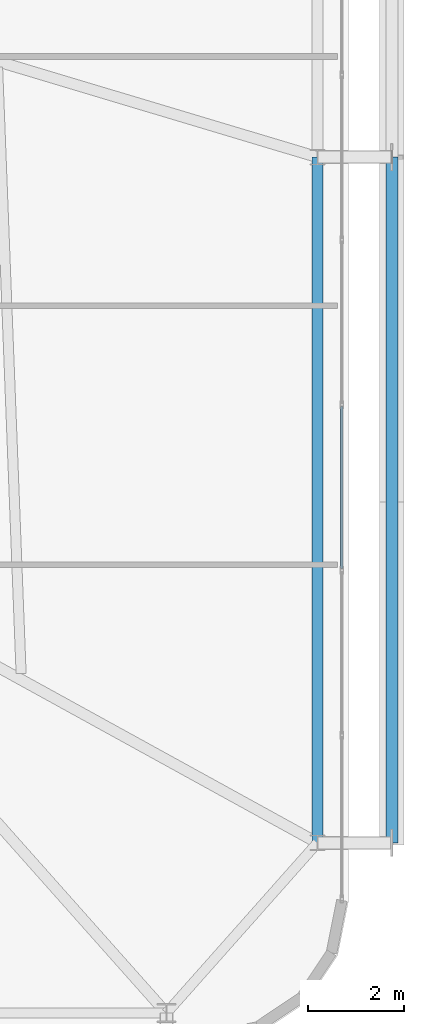
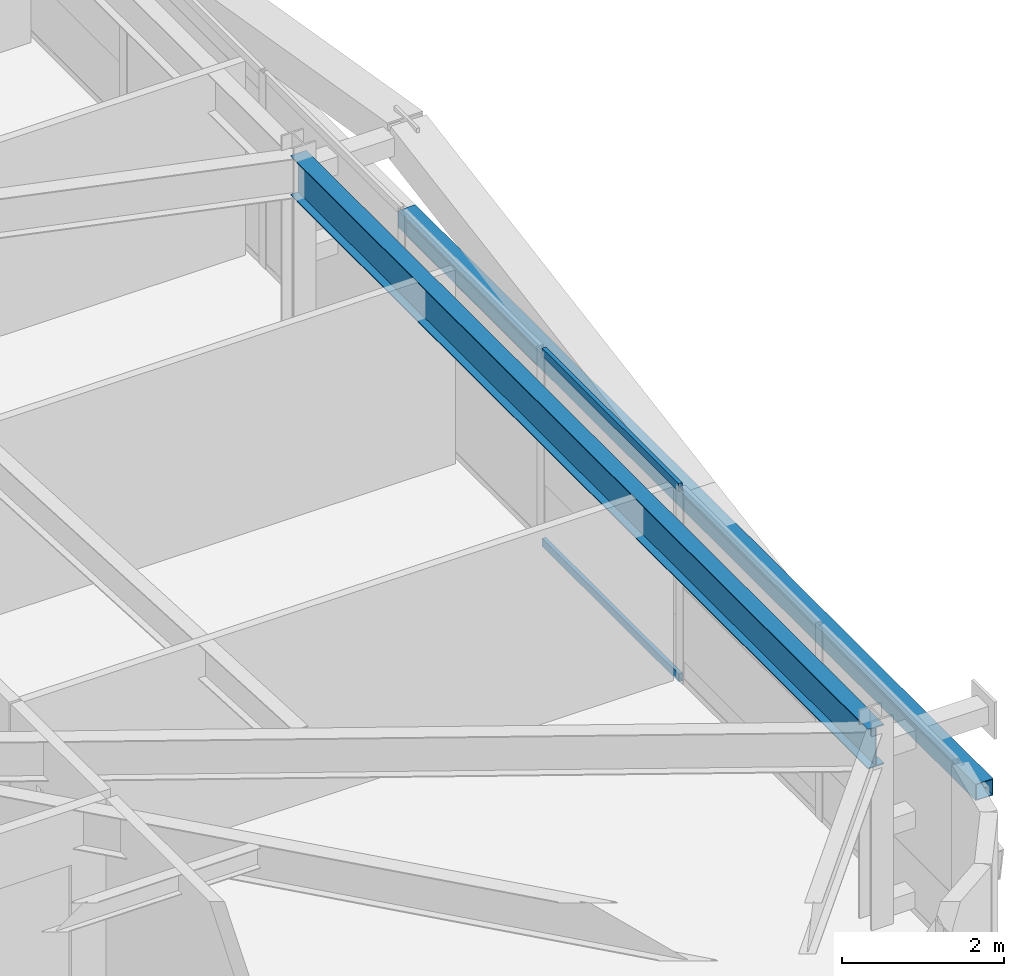
# One storey, part 27 of 58: 3 members, 1 beam, 1 element without a shape of its own.
"""IFC4 building model written with IfcOpenShell, lengths in metres."""

import ifcopenshell
import ifcopenshell.guid

model = None  # the IFC model being written
_history = None  # IfcOwnerHistory: only IFC2X3 demands one
_inside = {}  # id of a spatial element -> (the spatial element, [elements in it])
_under = {}  # id of a project, library or spatial element -> (it, [spatial elements below it])
_declared = {}  # id of a project -> (the project, [libraries it declares])
_typed = {}  # id of a type object -> (the type object, [elements of that type])
_made_of = {}  # id of a material, layer set ... -> (it, [elements and type objects made of it])


def new_model(schema):
    """Start an empty IFC model of exactly this schema.

    Asked for "IFC4X3", IfcOpenShell would pick the latest addendum, in which some entities
    have other attributes; the version numbers below select the first issue.
    IFC2X3 requires an IfcOwnerHistory on every rooted entity: one is made here for all.
    """
    global model, _history
    if schema == "IFC4X3":
        model = ifcopenshell.file(schema_version=(4, 3, 0, 0))
    else:
        model = ifcopenshell.file(schema=schema)
    _inside.clear()
    _under.clear()
    _declared.clear()
    _typed.clear()
    _made_of.clear()
    _history = None
    if model.schema == "IFC2X3":
        org = make("IfcOrganization", Name="unknown")
        user = make(
            "IfcPersonAndOrganization",
            ThePerson=make("IfcPerson", FamilyName="unknown"),
            TheOrganization=org,
        )
        app = make(
            "IfcApplication",
            ApplicationDeveloper=org,
            Version="unknown",
            ApplicationFullName="unknown",
            ApplicationIdentifier="unknown",
        )
        _history = make(
            "IfcOwnerHistory",
            OwningUser=user,
            OwningApplication=app,
            ChangeAction="ADDED",
            CreationDate=0,
        )
    return model


def make(cls, **values):
    """One entity of the class cls with the attributes given. An attribute that is None is left unset."""
    return model.create_entity(
        cls, **{name: value for name, value in values.items() if value is not None}
    )


def rooted(cls, **values):
    """An entity with a GlobalId (a new one), such as an element, a storey or a relation."""
    return make(cls, GlobalId=ifcopenshell.guid.new(), OwnerHistory=_history, **values)


def si_unit(unit_type, name, prefix=None):
    """IfcSIUnit, for example si_unit("LENGTHUNIT", "METRE", prefix="MILLI")."""
    return make("IfcSIUnit", UnitType=unit_type, Prefix=prefix, Name=name)


def assignment(units):
    """IfcUnitAssignment: the units of a project."""
    return None if units is None else make("IfcUnitAssignment", Units=units)


def point(xyz):
    """IfcCartesianPoint."""
    return None if xyz is None else make("IfcCartesianPoint", Coordinates=xyz)


def direction(xyz):
    """IfcDirection."""
    return None if xyz is None else make("IfcDirection", DirectionRatios=xyz)


def frame(location, z_axis=None, x_axis=None):
    """IfcAxis2Placement3D, a coordinate frame: its origin and axes. An axis left out is left unset."""
    return make(
        "IfcAxis2Placement3D",
        Location=point(location),
        Axis=direction(z_axis),
        RefDirection=direction(x_axis),
    )


def frame_2d(location, x_axis=None):
    """IfcAxis2Placement2D, a coordinate frame in the plane: its origin and x axis."""
    return make(
        "IfcAxis2Placement2D", Location=point(location), RefDirection=direction(x_axis)
    )


def origin():
    """The frame at (0, 0, 0) with its axes left unset."""
    return frame((0.0, 0.0, 0.0))


def origin_2d():
    """The frame at (0, 0) in the plane with its x axis left unset."""
    return frame_2d((0.0, 0.0))


def place(relative_to, where):
    """IfcLocalPlacement: puts the frame where relative to a parent placement (None: the world)."""
    return make(
        "IfcLocalPlacement", PlacementRelTo=relative_to, RelativePlacement=where
    )


def context(
    kind, dimensions, precision=None, world=None, true_north=None, identifier=None
):
    """IfcGeometricRepresentationContext, for example the 3D "Model" context."""
    return make(
        "IfcGeometricRepresentationContext",
        ContextIdentifier=identifier,
        ContextType=kind,
        CoordinateSpaceDimension=dimensions,
        Precision=precision,
        WorldCoordinateSystem=world,
        TrueNorth=true_north,
    )


def subcontext(parent, identifier, kind, view, scale=None):
    """IfcGeometricRepresentationSubContext, for example "Body" below "Model"."""
    return make(
        "IfcGeometricRepresentationSubContext",
        ContextIdentifier=identifier,
        ContextType=kind,
        ParentContext=parent,
        TargetScale=scale,
        TargetView=view,
    )


def project(units=None, contexts=None):
    """IfcProject with its units and contexts."""
    return rooted(
        "IfcProject",
        Name="project",
        RepresentationContexts=contexts,
        UnitsInContext=assignment(units),
    )


def spatial(cls, under=None, at=None, **own):
    """A site, building, storey or space (cls), placed at a placement, below another one or the project."""
    s = rooted(cls, ObjectPlacement=at, **own)
    if under is not None:
        _under.setdefault(under.id(), (under, []))[1].append(s)
    return s


def profile(cls, at=None, kind="AREA", **sizes):
    """A parametric profile (cls). Its sizes go by their IFC names, for example OverallWidth=200.0."""
    return make(cls, ProfileType=kind, Position=at, **sizes)


def hollow_rectangle(**sizes):
    """IfcRectangleHollowProfileDef."""
    return profile("IfcRectangleHollowProfileDef", **sizes)


def i_section(**sizes):
    """IfcIShapeProfileDef."""
    return profile("IfcIShapeProfileDef", **sizes)


def extrude(swept, where, along, depth):
    """IfcExtrudedAreaSolid: the profile swept, set in the frame where, extruded along a direction by depth."""
    return make(
        "IfcExtrudedAreaSolid",
        SweptArea=swept,
        Position=where,
        ExtrudedDirection=direction(along),
        Depth=depth,
    )


def shape(context_of_items, identifier, shape_type, items):
    """IfcShapeRepresentation: the items that make up one representation, for example the "Body"."""
    return make(
        "IfcShapeRepresentation",
        ContextOfItems=context_of_items,
        RepresentationIdentifier=identifier,
        RepresentationType=shape_type,
        Items=items,
    )


def source(mapping_origin, context_of_items, identifier, shape_type, items):
    """IfcRepresentationMap: a shape defined once, which mapped items show again and again."""
    return make(
        "IfcRepresentationMap",
        MappingOrigin=mapping_origin,
        MappedRepresentation=shape(context_of_items, identifier, shape_type, items),
    )


def transform(
    local_origin,
    x_axis=None,
    y_axis=None,
    z_axis=None,
    scale=None,
    scale2=None,
    scale3=None,
    uniform=True,
):
    """IfcCartesianTransformationOperator3D, or its non-uniform kind. x_axis, y_axis, z_axis: its Axis1, 2, 3."""
    if uniform:
        return make(
            "IfcCartesianTransformationOperator3D",
            Axis1=direction(x_axis),
            Axis2=direction(y_axis),
            LocalOrigin=point(local_origin),
            Scale=scale,
            Axis3=direction(z_axis),
        )
    return make(
        "IfcCartesianTransformationOperator3DnonUniform",
        Axis1=direction(x_axis),
        Axis2=direction(y_axis),
        LocalOrigin=point(local_origin),
        Scale=scale,
        Axis3=direction(z_axis),
        Scale2=scale2,
        Scale3=scale3,
    )


def mapped(mapping_source, mapping_target):
    """IfcMappedItem: shows the shape of a source again, moved by a transform."""
    return make(
        "IfcMappedItem", MappingSource=mapping_source, MappingTarget=mapping_target
    )


def material(Name=None, Category=None):
    """IfcMaterial."""
    return make("IfcMaterial", Name=Name, Category=Category)


def layer(
    of_material, thickness, ventilated=None, Name=None, Category=None, Priority=None
):
    """IfcMaterialLayer: one layer of a wall or slab, of a material (None: an air gap)."""
    return make(
        "IfcMaterialLayer",
        Material=of_material,
        LayerThickness=thickness,
        IsVentilated=ventilated,
        Name=Name,
        Category=Category,
        Priority=Priority,
    )


def layer_set(layers, Name=None):
    """IfcMaterialLayerSet."""
    return make("IfcMaterialLayerSet", MaterialLayers=layers, LayerSetName=Name)


def material_profile(
    of_material, cross_section, Name=None, Category=None, Priority=None
):
    """IfcMaterialProfile: a cross section and its material."""
    return make(
        "IfcMaterialProfile",
        Name=Name,
        Material=of_material,
        Profile=cross_section,
        Priority=Priority,
        Category=Category,
    )


def profile_set(profiles, Name=None, composite=None):
    """IfcMaterialProfileSet."""
    return make(
        "IfcMaterialProfileSet",
        Name=Name,
        MaterialProfiles=profiles,
        CompositeProfile=composite,
    )


def made_of(thing, what):
    """Note that an element or type object is made of a material, layer set ...; save() writes the relation."""
    if what is not None:
        _made_of.setdefault(what.id(), (what, []))[1].append(thing)
    return thing


def type_object(cls, material=None, **own):
    """A type object (cls), such as IfcWallType, which elements share."""
    return made_of(rooted(cls, **own), material)


def element(
    cls,
    number,
    at=None,
    inside=None,
    cuts=None,
    type_object=None,
    material=None,
    context=None,
    identifier="Body",
    shape_type=None,
    held_by="IfcProductDefinitionShape",
    body=None,
    shapes=None,
    **own,
):
    """One element of the class cls, such as IfcWall. Its Tag is "e" and its number.

    at: its placement. inside: the storey or other place that contains it. cuts: it is an
    opening in that element (IfcRelVoidsElement). A single representation is given by context,
    identifier, shape_type and body (its items); several are given by shapes. held_by: the class
    of the entity that holds the representations. save() writes the other relations.
    """
    e = rooted(cls, Tag="e%d" % number, ObjectPlacement=at, **own)
    if body is not None:
        shapes = [shape(context, identifier, shape_type, body)]
    if shapes is not None:
        e.Representation = make(held_by, Representations=shapes)
    if inside is not None:
        _inside.setdefault(inside.id(), (inside, []))[1].append(e)
    if cuts is not None:
        rooted(
            "IfcRelVoidsElement", RelatingBuildingElement=cuts, RelatedOpeningElement=e
        )
    if type_object is not None:
        _typed.setdefault(type_object.id(), (type_object, []))[1].append(e)
    return made_of(e, material)


def aggregate(whole, parts):
    """IfcRelAggregates: a whole, such as a stair, and the parts it consists of."""
    return rooted("IfcRelAggregates", RelatingObject=whole, RelatedObjects=parts)


def save(model, path):
    """Write the relations noted so far, then the file.

    IfcRelAggregates (storeys below a building ...), IfcRelContainedInSpatialStructure (elements
    in a storey), IfcRelDefinesByType, IfcRelAssociatesMaterial and IfcRelDeclares: one each for
    every whole, place, type object, material and project.
    """
    for whole, parts in _under.values():
        aggregate(whole, parts)
    for where, things in _inside.values():
        rooted(
            "IfcRelContainedInSpatialStructure",
            RelatedElements=things,
            RelatingStructure=where,
        )
    for kind, things in _typed.values():
        rooted("IfcRelDefinesByType", RelatedObjects=things, RelatingType=kind)
    for what, things in _made_of.values():
        rooted("IfcRelAssociatesMaterial", RelatedObjects=things, RelatingMaterial=what)
    for by, libraries in _declared.values():
        rooted("IfcRelDeclares", RelatingContext=by, RelatedDefinitions=libraries)
    model.write(path)


model = new_model("IFC4")

# Units and contexts
model_context = context("Model", 3, precision=1e-05, world=origin(), true_north=direction((0.0, 1.0)))
body_context = subcontext(model_context, "Body", "Model", "MODEL_VIEW")
ifc_project = project(units=[si_unit("LENGTHUNIT", "METRE"), si_unit("AREAUNIT", "SQUARE_METRE"), si_unit("VOLUMEUNIT", "CUBIC_METRE"), si_unit("PLANEANGLEUNIT", "RADIAN"), si_unit("MASSUNIT", "GRAM", prefix="KILO")], contexts=[model_context])

# Site, building, storey
site_placement = place(None, origin())
site = spatial("IfcSite", under=ifc_project, at=site_placement, CompositionType="ELEMENT")
building_placement = place(site_placement, origin())
building = spatial("IfcBuilding", under=site, at=building_placement, Name="Taldren Reach Tower", CompositionType="ELEMENT")
storey_placement = place(building_placement, frame((0.0, 0.0, 54.60009765625)))
storey = spatial("IfcBuildingStorey", under=building, at=storey_placement, Name="L16", CompositionType="ELEMENT", Elevation=54.60009765625)

# Beam
ifc_material_1 = material(Name="Steel Gr 350 (350PLUS)", Category="steel")
ifc_material_profile_1 = material_profile(ifc_material_1, i_section(OverallWidth=0.22802734375, OverallDepth=0.60205078125, WebThickness=0.010498046875, FlangeThickness=0.014892578125, at=origin_2d()), Name="610UB101")
ifc_profile_set_1 = profile_set([ifc_material_profile_1], Name="Steel Gr 350 (350PLUS)")
beam_type = type_object("IfcBeamType", Name="BM-UB610B", PredefinedType="BEAM", material=ifc_profile_set_1)
shared_shape_1 = source(origin(), body_context, "Body", "SweptSolid", [
    extrude(i_section(OverallWidth=0.22802734375, OverallDepth=0.60205078125, WebThickness=0.010498046875, FlangeThickness=0.014892578125, at=origin_2d()), origin(), (0.0, 0.0, 1.0), 14.300048828125),
])
beam_placement = place(storey_placement, frame((64.35009765625, 5.699951171875, 2.62890625), z_axis=(0.0, 1.0, 0.0), x_axis=(-1.0, 0.0, 0.0)))
element("IfcBeam", 1, at=beam_placement, inside=storey, type_object=beam_type, Name="Perimeter gable girder B1 E1-E2 L16", PredefinedType="BEAM", context=body_context, shape_type="MappedRepresentation", body=[
    mapped(shared_shape_1, transform((0.0, 0.0, 0.0), scale=1.0)),
])

# Member
ifc_material_2 = material(Name="Steel Gr 350 (C350L0)", Category="steel")
ifc_material_profile_2 = material_profile(ifc_material_2, hollow_rectangle(XDim=0.25, YDim=0.25, WallThickness=0.010009765625, at=origin_2d()), Name="250x250x10.0SHS")
ifc_profile_set_2 = profile_set([ifc_material_profile_2], Name="Steel Gr 350 (C350L0)")
member_type_1 = type_object("IfcMemberType", Name="MB-POST250", PredefinedType="POST", material=ifc_profile_set_2)
shared_shape_2 = source(origin(), body_context, "Body", "SweptSolid", [
    extrude(hollow_rectangle(XDim=0.25, YDim=0.25, WallThickness=0.010009765625, at=origin_2d()), origin(), (0.0, 0.0, 1.0), 14.300048828125),
])
member_1_placement = place(storey_placement, frame((65.89990234375, 5.699951171875, 1.434814453125), z_axis=(0.0, 1.0, 0.0), x_axis=(-1.0, 0.0, 0.0)))
element("IfcMember", 2, at=member_1_placement, inside=storey, type_object=member_type_1, Name="Exoskeleton mid-height ring chord B1-E1 L16", PredefinedType="POST", context=body_context, shape_type="MappedRepresentation", body=[
    mapped(shared_shape_2, transform((0.0, 0.0, 0.0), scale=1.0)),
])

# Curtain wall, members
ifc_material_3 = material(Name="Aluminium and Low-E Glass Unitised System", Category="aluminium")
ifc_layer = layer(ifc_material_3, 0.159912109375)
ifc_layer_set = layer_set([ifc_layer], Name="Aluminium and Low-E Glass Unitised System")
curtain_wall_type = type_object("IfcCurtainWallType", Name="CW-SYS-2", PredefinedType="NOTDEFINED", material=ifc_layer_set)
curtain_wall_placement = place(storey_placement, origin())
curtain_wall = element("IfcCurtainWall", 3, at=curtain_wall_placement, inside=storey, type_object=curtain_wall_type, Name="Unitised curtain wall CW-L16-E", PredefinedType="NOTDEFINED")
ifc_material_4 = material(Name="Anodised Aluminium 6063-T6", Category="aluminium")
ifc_material_profile_3 = material_profile(ifc_material_4, hollow_rectangle(XDim=0.054931640625, YDim=0.1201171875, WallThickness=0.0029296875, at=origin_2d()), Name="ALU-120x55x3RHS")
ifc_profile_set_3 = profile_set([ifc_material_profile_3], Name="Anodised Aluminium 6063-T6")
member_type_2 = type_object("IfcMemberType", Name="CW-TRN-135", PredefinedType="USERDEFINED", material=ifc_profile_set_3)
shared_shape_3 = source(origin(), body_context, "Body", "SweptSolid", [
    extrude(hollow_rectangle(XDim=0.054931640625, YDim=0.1201171875, WallThickness=0.0029296875, at=origin_2d()), origin(), (0.0, 0.0, 1.0), 3.37939453125),
])
member_2_placement = place(storey_placement, frame((64.860107421875, 11.42138671875, 0.02734375), z_axis=(0.0, 1.0, 0.0), x_axis=(-1.0, 0.0, 0.0)))
member_2 = element("IfcMember", 4, at=member_2_placement, type_object=member_type_2, Name="CW-2 transom 3.1", ObjectType="TRANSOM", PredefinedType="USERDEFINED", context=body_context, shape_type="MappedRepresentation", body=[
    mapped(shared_shape_3, transform((0.0, 0.0, 0.0), scale=1.0)),
])
member_3_placement = place(storey_placement, frame((64.860107421875, 11.42138671875, 2.90234375), z_axis=(0.0, 1.0, 0.0), x_axis=(-1.0, 0.0, 0.0)))
member_3 = element("IfcMember", 5, at=member_3_placement, type_object=member_type_2, Name="CW-2 transom 3.2", ObjectType="TRANSOM", PredefinedType="USERDEFINED", context=body_context, shape_type="MappedRepresentation", body=[
    mapped(shared_shape_3, transform((0.0, 0.0, 0.0), scale=1.0)),
])
aggregate(curtain_wall, [member_2, member_3])

save(model, "model.ifc")
